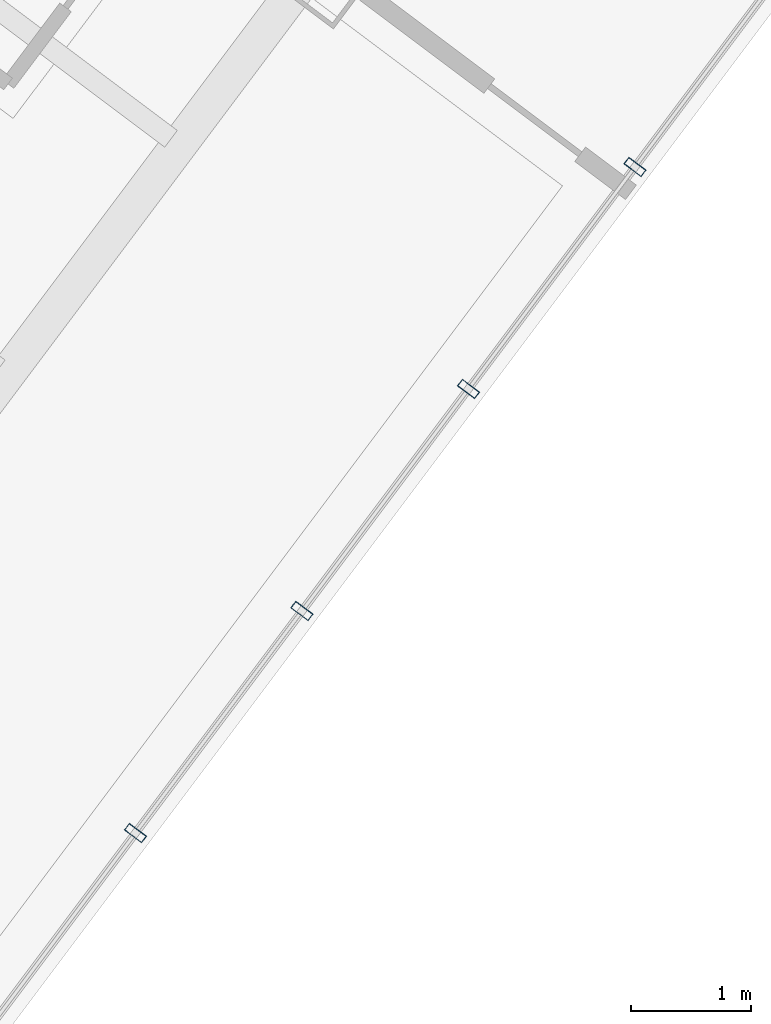
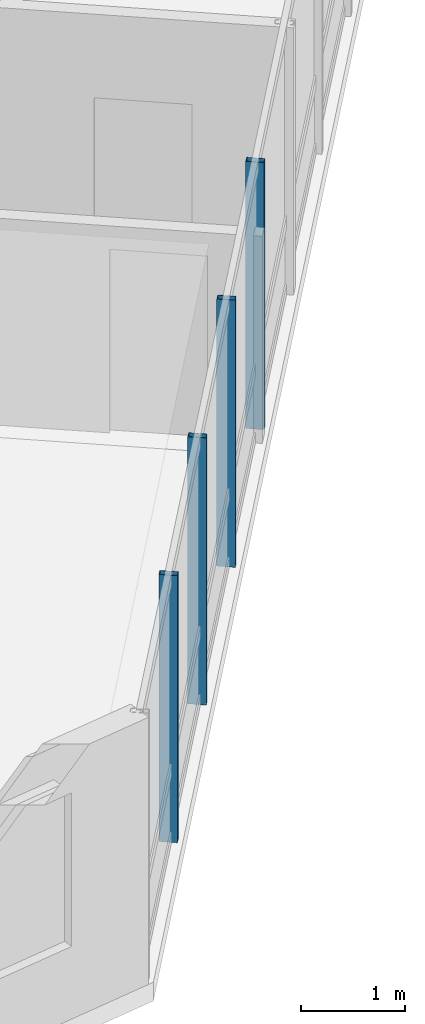
# One storey, part 8 of 30: 4 members, 1 element without a shape of its own.
"""IFC4 building model written with IfcOpenShell, lengths in metres."""

import ifcopenshell
import ifcopenshell.guid

model = None  # the IFC model being written
_history = None  # IfcOwnerHistory: only IFC2X3 demands one
_inside = {}  # id of a spatial element -> (the spatial element, [elements in it])
_under = {}  # id of a project, library or spatial element -> (it, [spatial elements below it])
_declared = {}  # id of a project -> (the project, [libraries it declares])
_typed = {}  # id of a type object -> (the type object, [elements of that type])
_made_of = {}  # id of a material, layer set ... -> (it, [elements and type objects made of it])


def new_model(schema):
    """Start an empty IFC model of exactly this schema.

    Asked for "IFC4X3", IfcOpenShell would pick the latest addendum, in which some entities
    have other attributes; the version numbers below select the first issue.
    IFC2X3 requires an IfcOwnerHistory on every rooted entity: one is made here for all.
    """
    global model, _history
    if schema == "IFC4X3":
        model = ifcopenshell.file(schema_version=(4, 3, 0, 0))
    else:
        model = ifcopenshell.file(schema=schema)
    _inside.clear()
    _under.clear()
    _declared.clear()
    _typed.clear()
    _made_of.clear()
    _history = None
    if model.schema == "IFC2X3":
        org = make("IfcOrganization", Name="unknown")
        user = make(
            "IfcPersonAndOrganization",
            ThePerson=make("IfcPerson", FamilyName="unknown"),
            TheOrganization=org,
        )
        app = make(
            "IfcApplication",
            ApplicationDeveloper=org,
            Version="unknown",
            ApplicationFullName="unknown",
            ApplicationIdentifier="unknown",
        )
        _history = make(
            "IfcOwnerHistory",
            OwningUser=user,
            OwningApplication=app,
            ChangeAction="ADDED",
            CreationDate=0,
        )
    return model


def make(cls, **values):
    """One entity of the class cls with the attributes given. An attribute that is None is left unset."""
    return model.create_entity(
        cls, **{name: value for name, value in values.items() if value is not None}
    )


def rooted(cls, **values):
    """An entity with a GlobalId (a new one), such as an element, a storey or a relation."""
    return make(cls, GlobalId=ifcopenshell.guid.new(), OwnerHistory=_history, **values)


def si_unit(unit_type, name, prefix=None):
    """IfcSIUnit, for example si_unit("LENGTHUNIT", "METRE", prefix="MILLI")."""
    return make("IfcSIUnit", UnitType=unit_type, Prefix=prefix, Name=name)


def assignment(units):
    """IfcUnitAssignment: the units of a project."""
    return None if units is None else make("IfcUnitAssignment", Units=units)


def point(xyz):
    """IfcCartesianPoint."""
    return None if xyz is None else make("IfcCartesianPoint", Coordinates=xyz)


def direction(xyz):
    """IfcDirection."""
    return None if xyz is None else make("IfcDirection", DirectionRatios=xyz)


def frame(location, z_axis=None, x_axis=None):
    """IfcAxis2Placement3D, a coordinate frame: its origin and axes. An axis left out is left unset."""
    return make(
        "IfcAxis2Placement3D",
        Location=point(location),
        Axis=direction(z_axis),
        RefDirection=direction(x_axis),
    )


def frame_2d(location, x_axis=None):
    """IfcAxis2Placement2D, a coordinate frame in the plane: its origin and x axis."""
    return make(
        "IfcAxis2Placement2D", Location=point(location), RefDirection=direction(x_axis)
    )


def origin():
    """The frame at (0, 0, 0) with its axes left unset."""
    return frame((0.0, 0.0, 0.0))


def origin_2d():
    """The frame at (0, 0) in the plane with its x axis left unset."""
    return frame_2d((0.0, 0.0))


def place(relative_to, where):
    """IfcLocalPlacement: puts the frame where relative to a parent placement (None: the world)."""
    return make(
        "IfcLocalPlacement", PlacementRelTo=relative_to, RelativePlacement=where
    )


def context(
    kind, dimensions, precision=None, world=None, true_north=None, identifier=None
):
    """IfcGeometricRepresentationContext, for example the 3D "Model" context."""
    return make(
        "IfcGeometricRepresentationContext",
        ContextIdentifier=identifier,
        ContextType=kind,
        CoordinateSpaceDimension=dimensions,
        Precision=precision,
        WorldCoordinateSystem=world,
        TrueNorth=true_north,
    )


def subcontext(parent, identifier, kind, view, scale=None):
    """IfcGeometricRepresentationSubContext, for example "Body" below "Model"."""
    return make(
        "IfcGeometricRepresentationSubContext",
        ContextIdentifier=identifier,
        ContextType=kind,
        ParentContext=parent,
        TargetScale=scale,
        TargetView=view,
    )


def project(units=None, contexts=None):
    """IfcProject with its units and contexts."""
    return rooted(
        "IfcProject",
        Name="project",
        RepresentationContexts=contexts,
        UnitsInContext=assignment(units),
    )


def spatial(cls, under=None, at=None, **own):
    """A site, building, storey or space (cls), placed at a placement, below another one or the project."""
    s = rooted(cls, ObjectPlacement=at, **own)
    if under is not None:
        _under.setdefault(under.id(), (under, []))[1].append(s)
    return s


def profile(cls, at=None, kind="AREA", **sizes):
    """A parametric profile (cls). Its sizes go by their IFC names, for example OverallWidth=200.0."""
    return make(cls, ProfileType=kind, Position=at, **sizes)


def hollow_rectangle(**sizes):
    """IfcRectangleHollowProfileDef."""
    return profile("IfcRectangleHollowProfileDef", **sizes)


def extrude(swept, where, along, depth):
    """IfcExtrudedAreaSolid: the profile swept, set in the frame where, extruded along a direction by depth."""
    return make(
        "IfcExtrudedAreaSolid",
        SweptArea=swept,
        Position=where,
        ExtrudedDirection=direction(along),
        Depth=depth,
    )


def shape(context_of_items, identifier, shape_type, items):
    """IfcShapeRepresentation: the items that make up one representation, for example the "Body"."""
    return make(
        "IfcShapeRepresentation",
        ContextOfItems=context_of_items,
        RepresentationIdentifier=identifier,
        RepresentationType=shape_type,
        Items=items,
    )


def material(Name=None, Category=None):
    """IfcMaterial."""
    return make("IfcMaterial", Name=Name, Category=Category)


def layer(
    of_material, thickness, ventilated=None, Name=None, Category=None, Priority=None
):
    """IfcMaterialLayer: one layer of a wall or slab, of a material (None: an air gap)."""
    return make(
        "IfcMaterialLayer",
        Material=of_material,
        LayerThickness=thickness,
        IsVentilated=ventilated,
        Name=Name,
        Category=Category,
        Priority=Priority,
    )


def layer_set(layers, Name=None):
    """IfcMaterialLayerSet."""
    return make("IfcMaterialLayerSet", MaterialLayers=layers, LayerSetName=Name)


def material_profile(
    of_material, cross_section, Name=None, Category=None, Priority=None
):
    """IfcMaterialProfile: a cross section and its material."""
    return make(
        "IfcMaterialProfile",
        Name=Name,
        Material=of_material,
        Profile=cross_section,
        Priority=Priority,
        Category=Category,
    )


def profile_set(profiles, Name=None, composite=None):
    """IfcMaterialProfileSet."""
    return make(
        "IfcMaterialProfileSet",
        Name=Name,
        MaterialProfiles=profiles,
        CompositeProfile=composite,
    )


def made_of(thing, what):
    """Note that an element or type object is made of a material, layer set ...; save() writes the relation."""
    if what is not None:
        _made_of.setdefault(what.id(), (what, []))[1].append(thing)
    return thing


def type_object(cls, material=None, **own):
    """A type object (cls), such as IfcWallType, which elements share."""
    return made_of(rooted(cls, **own), material)


def element(
    cls,
    number,
    at=None,
    inside=None,
    cuts=None,
    type_object=None,
    material=None,
    context=None,
    identifier="Body",
    shape_type=None,
    held_by="IfcProductDefinitionShape",
    body=None,
    shapes=None,
    **own,
):
    """One element of the class cls, such as IfcWall. Its Tag is "e" and its number.

    at: its placement. inside: the storey or other place that contains it. cuts: it is an
    opening in that element (IfcRelVoidsElement). A single representation is given by context,
    identifier, shape_type and body (its items); several are given by shapes. held_by: the class
    of the entity that holds the representations. save() writes the other relations.
    """
    e = rooted(cls, Tag="e%d" % number, ObjectPlacement=at, **own)
    if body is not None:
        shapes = [shape(context, identifier, shape_type, body)]
    if shapes is not None:
        e.Representation = make(held_by, Representations=shapes)
    if inside is not None:
        _inside.setdefault(inside.id(), (inside, []))[1].append(e)
    if cuts is not None:
        rooted(
            "IfcRelVoidsElement", RelatingBuildingElement=cuts, RelatedOpeningElement=e
        )
    if type_object is not None:
        _typed.setdefault(type_object.id(), (type_object, []))[1].append(e)
    return made_of(e, material)


def aggregate(whole, parts):
    """IfcRelAggregates: a whole, such as a stair, and the parts it consists of."""
    return rooted("IfcRelAggregates", RelatingObject=whole, RelatedObjects=parts)


def save(model, path):
    """Write the relations noted so far, then the file.

    IfcRelAggregates (storeys below a building ...), IfcRelContainedInSpatialStructure (elements
    in a storey), IfcRelDefinesByType, IfcRelAssociatesMaterial and IfcRelDeclares: one each for
    every whole, place, type object, material and project.
    """
    for whole, parts in _under.values():
        aggregate(whole, parts)
    for where, things in _inside.values():
        rooted(
            "IfcRelContainedInSpatialStructure",
            RelatedElements=things,
            RelatingStructure=where,
        )
    for kind, things in _typed.values():
        rooted("IfcRelDefinesByType", RelatedObjects=things, RelatingType=kind)
    for what, things in _made_of.values():
        rooted("IfcRelAssociatesMaterial", RelatedObjects=things, RelatingMaterial=what)
    for by, libraries in _declared.values():
        rooted("IfcRelDeclares", RelatingContext=by, RelatedDefinitions=libraries)
    model.write(path)


model = new_model("IFC4")

# Units and contexts
model_context = context("Model", 3, precision=1e-05, world=origin(), true_north=direction((0.0, 1.0)))
body_context = subcontext(model_context, "Body", "Model", "MODEL_VIEW")
ifc_project = project(units=[si_unit("LENGTHUNIT", "METRE"), si_unit("AREAUNIT", "SQUARE_METRE"), si_unit("VOLUMEUNIT", "CUBIC_METRE"), si_unit("PLANEANGLEUNIT", "RADIAN"), si_unit("MASSUNIT", "GRAM", prefix="KILO")], contexts=[model_context])

# Site, building, storey
site_placement = place(None, origin())
site = spatial("IfcSite", under=ifc_project, at=site_placement, CompositionType="ELEMENT")
building_placement = place(site_placement, origin())
building = spatial("IfcBuilding", under=site, at=building_placement, Name="Hatsunagi Terrace Concourse", CompositionType="ELEMENT")
storey_placement = place(building_placement, frame((0.0, 0.0, 74.60009765625)))
storey = spatial("IfcBuildingStorey", under=building, at=storey_placement, Name="L19", CompositionType="ELEMENT", Elevation=74.60009765625)

# Curtain wall, members
ifc_material_1 = material(Name="Anodised Aluminium Alloy 6063-T5", Category="aluminium")
ifc_layer = layer(ifc_material_1, 0.199951171875)
ifc_layer_set = layer_set([ifc_layer], Name="HotelFacade_CW02")
curtain_wall_type = type_object("IfcCurtainWallType", Name="HotelFacade_CW02", PredefinedType="NOTDEFINED", material=ifc_layer_set)
curtain_wall_placement = place(storey_placement, origin())
curtain_wall = element("IfcCurtainWall", 1, at=curtain_wall_placement, inside=storey, type_object=curtain_wall_type, Name="Unitised Curtain Wall CW-02 CW-L19-03", PredefinedType="NOTDEFINED")
ifc_material_2 = material(Name="Anodised Aluminium Alloy 6063-T5", Category="aluminium")
ifc_material_profile = material_profile(ifc_material_2, hollow_rectangle(XDim=0.070068359375, YDim=0.179931640625, WallThickness=0.00390625, at=origin_2d()), Name="ALU-MUL-180x70x4")
ifc_profile_set = profile_set([ifc_material_profile], Name="Anodised Aluminium Alloy 6063-T5")
member_type = type_object("IfcMemberType", Name="CurtainWallMullion_180x70", PredefinedType="MULLION", material=ifc_profile_set)
member_1_placement = place(storey_placement, frame((62.132080078125, 10.3759765625, 0.0), z_axis=(0.0, 0.0, 1.0), x_axis=(-0.599969314634, -0.800023013105, 0.0)))
member_1 = element("IfcMember", 2, at=member_1_placement, type_object=member_type, Name="Curtain Wall Mullion MUL-02", PredefinedType="MULLION", context=body_context, shape_type="SweptSolid", body=[
    extrude(hollow_rectangle(XDim=0.070068359375, YDim=0.179931640625, WallThickness=0.00390625, at=origin_2d()), origin(), (0.0, 0.0, 1.0), 3.1298828125),
])
member_2_placement = place(storey_placement, frame((60.739990234375, 8.51904296875, 0.0), z_axis=(0.0, 0.0, 1.0), x_axis=(-0.599969314634, -0.800023013105, 0.0)))
member_2 = element("IfcMember", 3, at=member_2_placement, type_object=member_type, Name="Curtain Wall Mullion MUL-02", PredefinedType="MULLION", context=body_context, shape_type="SweptSolid", body=[
    extrude(hollow_rectangle(XDim=0.070068359375, YDim=0.179931640625, WallThickness=0.00390625, at=origin_2d()), origin(), (0.0, 0.0, 1.0), 3.1298828125),
])
member_3_placement = place(storey_placement, frame((59.346923828125, 6.6630859375, 0.0), z_axis=(0.0, 0.0, 1.0), x_axis=(-0.599969314634, -0.800023013105, 0.0)))
member_3 = element("IfcMember", 4, at=member_3_placement, type_object=member_type, Name="Curtain Wall Mullion MUL-02", PredefinedType="MULLION", context=body_context, shape_type="SweptSolid", body=[
    extrude(hollow_rectangle(XDim=0.070068359375, YDim=0.179931640625, WallThickness=0.00390625, at=origin_2d()), origin(), (0.0, 0.0, 1.0), 3.1298828125),
])
member_4_placement = place(storey_placement, frame((57.955078125, 4.805908203125, 0.0), z_axis=(0.0, 0.0, 1.0), x_axis=(-0.599969314634, -0.800023013105, 0.0)))
member_4 = element("IfcMember", 5, at=member_4_placement, type_object=member_type, Name="Curtain Wall Mullion MUL-02", PredefinedType="MULLION", context=body_context, shape_type="SweptSolid", body=[
    extrude(hollow_rectangle(XDim=0.070068359375, YDim=0.179931640625, WallThickness=0.00390625, at=origin_2d()), origin(), (0.0, 0.0, 1.0), 3.1298828125),
])
aggregate(curtain_wall, [member_1, member_2, member_3, member_4])

save(model, "model.ifc")
